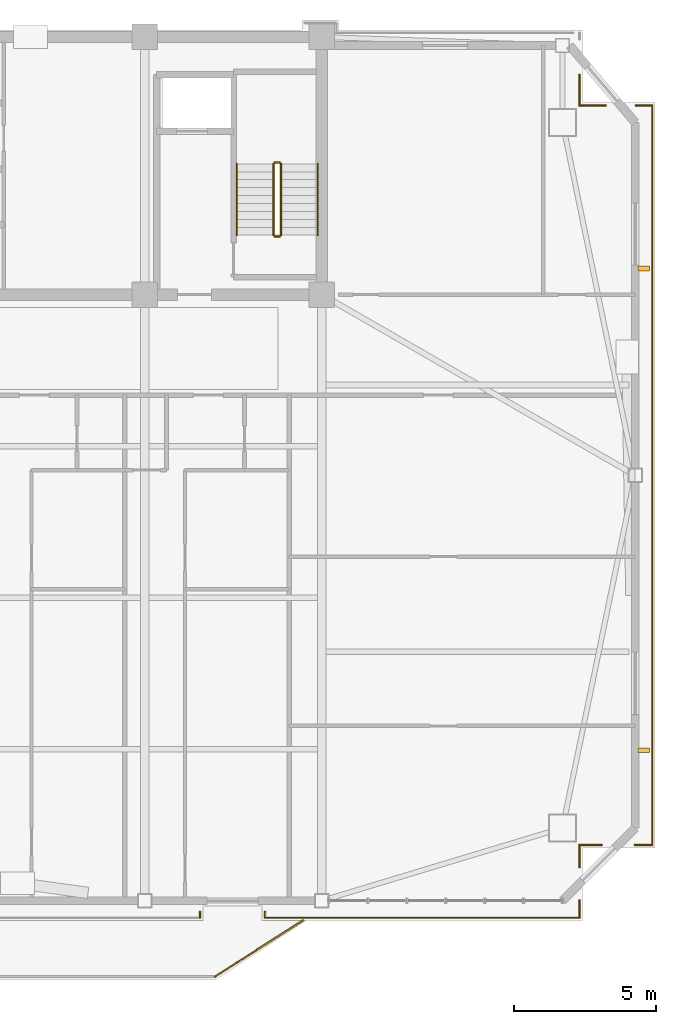
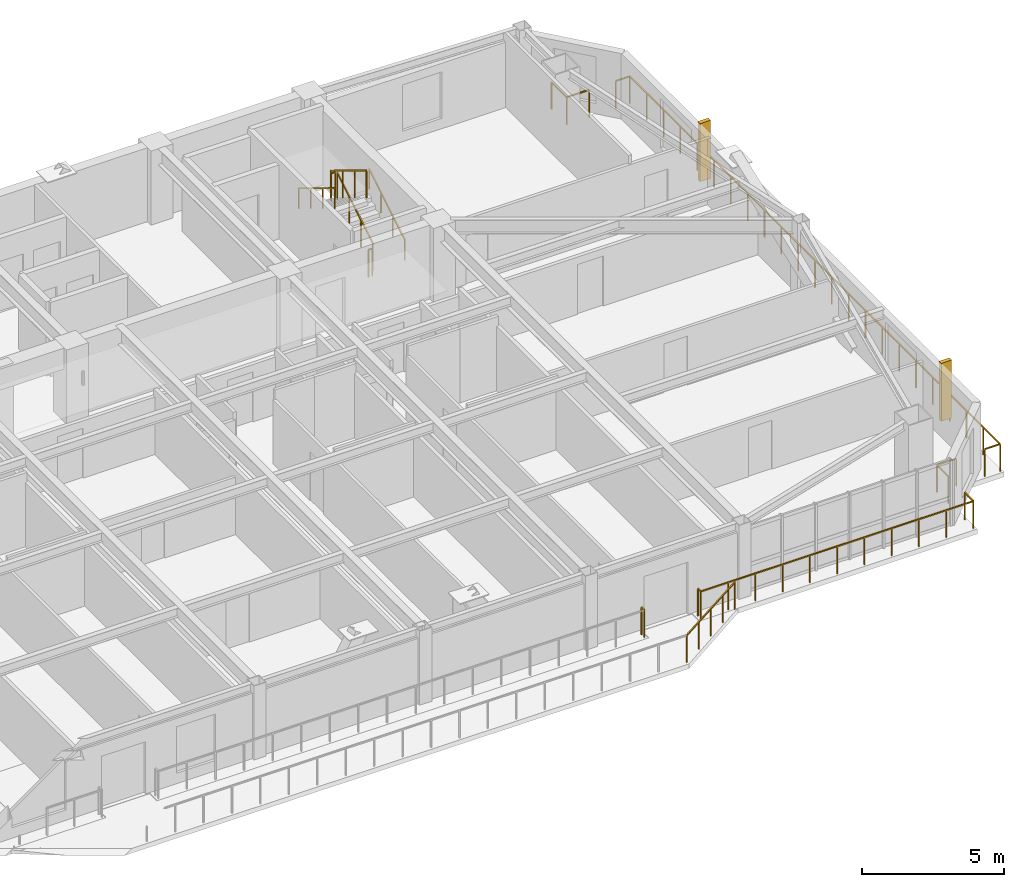
# One storey, part 16 of 18: 18 railings, 2 shading devices.
"""IFC4 building model written with IfcOpenShell, lengths in metres."""

from ifc_helpers import new_model, si_unit, direction, frame, origin, origin_2d, place, context, subcontext, project, spatial, rectangle, extrude, source, transform, mapped, material, type_object, element, save


model = new_model("IFC4")

# Units and contexts
model_context = context("Model", 3, precision=1e-05, world=origin(), true_north=direction((0.0, 1.0)))
body_context = subcontext(model_context, "Body", "Model", "MODEL_VIEW")
ifc_project = project(units=[si_unit("LENGTHUNIT", "METRE"), si_unit("AREAUNIT", "SQUARE_METRE"), si_unit("VOLUMEUNIT", "CUBIC_METRE"), si_unit("PLANEANGLEUNIT", "RADIAN"), si_unit("MASSUNIT", "GRAM", prefix="KILO")], contexts=[model_context])

# Site, building, storey
site_placement = place(None, origin())
site = spatial("IfcSite", under=ifc_project, at=site_placement, CompositionType="ELEMENT")
building_placement = place(site_placement, origin())
building = spatial("IfcBuilding", under=site, at=building_placement, Name="Giltprow Tower", CompositionType="ELEMENT")
storey_placement = place(building_placement, frame((0.0, 0.0, 262.10009765625)))
storey = spatial("IfcBuildingStorey", under=building, at=storey_placement, Name="L67", CompositionType="ELEMENT", Elevation=262.10009765625)

# Railings
ifc_material = material(Name="Anodized bronze", Category="metal")
railing_type_1 = type_object("IfcRailingType", Name="RAIL-BALC-GUARD-1200", PredefinedType="BALUSTRADE", material=ifc_material)
railing_1_placement = place(storey_placement, frame((46.780029296875, 13.364990234375, 0.0)))
element("IfcRailing", 1, at=railing_1_placement, inside=storey, type_object=railing_type_1, Name="L67 Waterfront Balcony Balustrade Seg 3", PredefinedType="BALUSTRADE", context=body_context, shape_type="SweptSolid", body=[
    extrude(rectangle(XDim=0.048095703125, YDim=0.048095703125, at=origin_2d()), frame((0.0, 0.0, 1.17578125), z_axis=(0.842755646126, 0.538296313309, 0.0), x_axis=(-0.538296313309, 0.842755646126, 0.0)), (0.0, 0.0, 1.0), 3.67822265625),
    extrude(rectangle(XDim=0.0419921875, YDim=0.0419921875, at=origin_2d()), origin(), (0.0, 0.0, 1.0), 1.15185546875),
    extrude(rectangle(XDim=0.0419921875, YDim=0.0419921875, at=origin_2d()), frame((0.77490234375, 0.4951171875, 0.0)), (0.0, 0.0, 1.0), 1.15185546875),
    extrude(rectangle(XDim=0.0419921875, YDim=0.0419921875, at=origin_2d()), frame((1.5498046875, 0.989990234375, 0.0)), (0.0, 0.0, 1.0), 1.15185546875),
    extrude(rectangle(XDim=0.0419921875, YDim=0.0419921875, at=origin_2d()), frame((2.324951171875, 1.48486328125, 0.0)), (0.0, 0.0, 1.0), 1.15185546875),
    extrude(rectangle(XDim=0.0419921875, YDim=0.0419921875, at=origin_2d()), frame((3.099853515625, 1.97998046875, 0.0)), (0.0, 0.0, 1.0), 1.15185546875),
])
railing_2_placement = place(storey_placement, frame((62.221923828125, 44.1298828125, 0.0)))
element("IfcRailing", 2, at=railing_2_placement, inside=storey, type_object=railing_type_1, Name="L67 Corner Apron Edge Balustrade 1", PredefinedType="BALUSTRADE", context=body_context, shape_type="SweptSolid", body=[
    extrude(rectangle(XDim=0.048095703125, YDim=0.048095703125, at=origin_2d()), frame((0.0, 0.0, 1.17578125), z_axis=(0.0, -1.0, 0.0), x_axis=(1.0, 0.0, 0.0)), (0.0, 0.0, 1.0), 26.116943359375),
    extrude(rectangle(XDim=0.0419921875, YDim=0.0419921875, at=origin_2d()), origin(), (0.0, 0.0, 1.0), 1.15185546875),
    extrude(rectangle(XDim=0.0419921875, YDim=0.0419921875, at=origin_2d()), frame((0.0, -1.18701171875, 0.0)), (0.0, 0.0, 1.0), 1.15185546875),
    extrude(rectangle(XDim=0.0419921875, YDim=0.0419921875, at=origin_2d()), frame((0.0, -2.374267578125, 0.0)), (0.0, 0.0, 1.0), 1.15185546875),
    extrude(rectangle(XDim=0.0419921875, YDim=0.0419921875, at=origin_2d()), frame((0.0, -3.561279296875, 0.0)), (0.0, 0.0, 1.0), 1.15185546875),
    extrude(rectangle(XDim=0.0419921875, YDim=0.0419921875, at=origin_2d()), frame((0.0, -4.74853515625, 0.0)), (0.0, 0.0, 1.0), 1.15185546875),
    extrude(rectangle(XDim=0.0419921875, YDim=0.0419921875, at=origin_2d()), frame((0.0, -5.935546875, 0.0)), (0.0, 0.0, 1.0), 1.15185546875),
    extrude(rectangle(XDim=0.0419921875, YDim=0.0419921875, at=origin_2d()), frame((0.0, -7.122802734375, 0.0)), (0.0, 0.0, 1.0), 1.15185546875),
    extrude(rectangle(XDim=0.0419921875, YDim=0.0419921875, at=origin_2d()), frame((0.0, -8.31005859375, 0.0)), (0.0, 0.0, 1.0), 1.15185546875),
    extrude(rectangle(XDim=0.0419921875, YDim=0.0419921875, at=origin_2d()), frame((0.0, -9.4970703125, 0.0)), (0.0, 0.0, 1.0), 1.15185546875),
    extrude(rectangle(XDim=0.0419921875, YDim=0.0419921875, at=origin_2d()), frame((0.0, -10.68408203125, 0.0)), (0.0, 0.0, 1.0), 1.15185546875),
    extrude(rectangle(XDim=0.0419921875, YDim=0.0419921875, at=origin_2d()), frame((0.0, -11.871337890625, 0.0)), (0.0, 0.0, 1.0), 1.15185546875),
    extrude(rectangle(XDim=0.0419921875, YDim=0.0419921875, at=origin_2d()), frame((0.0, -13.05859375, 0.0)), (0.0, 0.0, 1.0), 1.15185546875),
    extrude(rectangle(XDim=0.0419921875, YDim=0.0419921875, at=origin_2d()), frame((0.0, -14.24560546875, 0.0)), (0.0, 0.0, 1.0), 1.15185546875),
    extrude(rectangle(XDim=0.0419921875, YDim=0.0419921875, at=origin_2d()), frame((0.0, -15.4326171875, 0.0)), (0.0, 0.0, 1.0), 1.15185546875),
    extrude(rectangle(XDim=0.0419921875, YDim=0.0419921875, at=origin_2d()), frame((0.0, -16.619873046875, 0.0)), (0.0, 0.0, 1.0), 1.15185546875),
    extrude(rectangle(XDim=0.0419921875, YDim=0.0419921875, at=origin_2d()), frame((0.0, -17.80712890625, 0.0)), (0.0, 0.0, 1.0), 1.15185546875),
    extrude(rectangle(XDim=0.0419921875, YDim=0.0419921875, at=origin_2d()), frame((0.0, -18.994140625, 0.0)), (0.0, 0.0, 1.0), 1.15185546875),
    extrude(rectangle(XDim=0.0419921875, YDim=0.0419921875, at=origin_2d()), frame((0.0, -20.18115234375, 0.0)), (0.0, 0.0, 1.0), 1.15185546875),
    extrude(rectangle(XDim=0.0419921875, YDim=0.0419921875, at=origin_2d()), frame((0.0, -21.368408203125, 0.0)), (0.0, 0.0, 1.0), 1.15185546875),
    extrude(rectangle(XDim=0.0419921875, YDim=0.0419921875, at=origin_2d()), frame((0.0, -22.5556640625, 0.0)), (0.0, 0.0, 1.0), 1.15185546875),
    extrude(rectangle(XDim=0.0419921875, YDim=0.0419921875, at=origin_2d()), frame((0.0, -23.74267578125, 0.0)), (0.0, 0.0, 1.0), 1.15185546875),
    extrude(rectangle(XDim=0.0419921875, YDim=0.0419921875, at=origin_2d()), frame((0.0, -24.9296875, 0.0)), (0.0, 0.0, 1.0), 1.15185546875),
    extrude(rectangle(XDim=0.0419921875, YDim=0.0419921875, at=origin_2d()), frame((0.0, -26.116943359375, 0.0)), (0.0, 0.0, 1.0), 1.15185546875),
])
railing_3_placement = place(storey_placement, frame((62.221923828125, 18.012939453125, 0.0)))
element("IfcRailing", 3, at=railing_3_placement, inside=storey, type_object=railing_type_1, Name="L67 Corner Apron Edge Balustrade 2", PredefinedType="BALUSTRADE", context=body_context, shape_type="SweptSolid", body=[
    extrude(rectangle(XDim=0.048095703125, YDim=0.048095703125, at=origin_2d()), frame((0.0, 0.0, 1.17578125), z_axis=(-1.0, 0.0, 0.0), x_axis=(0.0, -1.0, 0.0)), (0.0, 0.0, 1.0), 0.620849609375),
    extrude(rectangle(XDim=0.0419921875, YDim=0.0419921875, at=origin_2d()), origin(), (0.0, 0.0, 1.0), 1.15185546875),
    extrude(rectangle(XDim=0.0419921875, YDim=0.0419921875, at=origin_2d()), frame((-0.620849609375, 0.0, 0.0)), (0.0, 0.0, 1.0), 1.15185546875),
])
railing_4_placement = place(storey_placement, frame((60.44091796875, 18.012939453125, 0.0)))
element("IfcRailing", 4, at=railing_4_placement, inside=storey, type_object=railing_type_1, Name="L67 Corner Apron Edge Balustrade 3", PredefinedType="BALUSTRADE", context=body_context, shape_type="SweptSolid", body=[
    extrude(rectangle(XDim=0.048095703125, YDim=0.048095703125, at=origin_2d()), frame((0.0, 0.0, 1.17578125), z_axis=(-1.0, 0.0, 0.0), x_axis=(0.0, -1.0, 0.0)), (0.0, 0.0, 1.0), 0.788818359375),
    extrude(rectangle(XDim=0.0419921875, YDim=0.0419921875, at=origin_2d()), origin(), (0.0, 0.0, 1.0), 1.15185546875),
    extrude(rectangle(XDim=0.0419921875, YDim=0.0419921875, at=origin_2d()), frame((-0.788818359375, 0.0, 0.0)), (0.0, 0.0, 1.0), 1.15185546875),
])
railing_5_placement = place(storey_placement, frame((59.652099609375, 18.012939453125, 0.0)))
element("IfcRailing", 5, at=railing_5_placement, inside=storey, type_object=railing_type_1, Name="L67 Corner Apron Edge Balustrade 4", PredefinedType="BALUSTRADE", context=body_context, shape_type="SweptSolid", body=[
    extrude(rectangle(XDim=0.048095703125, YDim=0.048095703125, at=origin_2d()), frame((0.0, 0.0, 1.17578125), z_axis=(0.0, -1.0, 0.0), x_axis=(1.0, 0.0, 0.0)), (0.0, 0.0, 1.0), 0.788818359375),
    extrude(rectangle(XDim=0.0419921875, YDim=0.0419921875, at=origin_2d()), origin(), (0.0, 0.0, 1.0), 1.15185546875),
    extrude(rectangle(XDim=0.0419921875, YDim=0.0419921875, at=origin_2d()), frame((0.0, -0.788818359375, 0.0)), (0.0, 0.0, 1.0), 1.15185546875),
])
railing_6_placement = place(storey_placement, frame((59.652099609375, 16.06396484375, 0.0)))
element("IfcRailing", 6, at=railing_6_placement, inside=storey, type_object=railing_type_1, Name="L67 Corner Apron Edge Balustrade 5", PredefinedType="BALUSTRADE", context=body_context, shape_type="SweptSolid", body=[
    extrude(rectangle(XDim=0.048095703125, YDim=0.048095703125, at=origin_2d()), frame((0.0, 0.0, 1.17578125), z_axis=(0.0, -1.0, 0.0), x_axis=(1.0, 0.0, 0.0)), (0.0, 0.0, 1.0), 0.618896484375),
    extrude(rectangle(XDim=0.0419921875, YDim=0.0419921875, at=origin_2d()), origin(), (0.0, 0.0, 1.0), 1.15185546875),
    extrude(rectangle(XDim=0.0419921875, YDim=0.0419921875, at=origin_2d()), frame((0.0, -0.618896484375, 0.0)), (0.0, 0.0, 1.0), 1.15185546875),
])
railing_7_placement = place(storey_placement, frame((59.652099609375, 15.445068359375, 0.0)))
element("IfcRailing", 7, at=railing_7_placement, inside=storey, type_object=railing_type_1, Name="L67 Corner Apron Edge Balustrade 6", PredefinedType="BALUSTRADE", context=body_context, shape_type="SweptSolid", body=[
    extrude(rectangle(XDim=0.048095703125, YDim=0.048095703125, at=origin_2d()), frame((0.0, 0.0, 1.17578125), z_axis=(-1.0, 0.0, 0.0), x_axis=(0.0, -1.0, 0.0)), (0.0, 0.0, 1.0), 11.10205078125),
    extrude(rectangle(XDim=0.0419921875, YDim=0.0419921875, at=origin_2d()), origin(), (0.0, 0.0, 1.0), 1.15185546875),
    extrude(rectangle(XDim=0.0419921875, YDim=0.0419921875, at=origin_2d()), frame((-1.110107421875, 0.0, 0.0)), (0.0, 0.0, 1.0), 1.15185546875),
    extrude(rectangle(XDim=0.0419921875, YDim=0.0419921875, at=origin_2d()), frame((-2.220458984375, 0.0, 0.0)), (0.0, 0.0, 1.0), 1.15185546875),
    extrude(rectangle(XDim=0.0419921875, YDim=0.0419921875, at=origin_2d()), frame((-3.33056640625, 0.0, 0.0)), (0.0, 0.0, 1.0), 1.15185546875),
    extrude(rectangle(XDim=0.0419921875, YDim=0.0419921875, at=origin_2d()), frame((-4.44091796875, 0.0, 0.0)), (0.0, 0.0, 1.0), 1.15185546875),
    extrude(rectangle(XDim=0.0419921875, YDim=0.0419921875, at=origin_2d()), frame((-5.551025390625, 0.0, 0.0)), (0.0, 0.0, 1.0), 1.15185546875),
    extrude(rectangle(XDim=0.0419921875, YDim=0.0419921875, at=origin_2d()), frame((-6.6611328125, 0.0, 0.0)), (0.0, 0.0, 1.0), 1.15185546875),
    extrude(rectangle(XDim=0.0419921875, YDim=0.0419921875, at=origin_2d()), frame((-7.771484375, 0.0, 0.0)), (0.0, 0.0, 1.0), 1.15185546875),
    extrude(rectangle(XDim=0.0419921875, YDim=0.0419921875, at=origin_2d()), frame((-8.881591796875, 0.0, 0.0)), (0.0, 0.0, 1.0), 1.15185546875),
    extrude(rectangle(XDim=0.0419921875, YDim=0.0419921875, at=origin_2d()), frame((-9.991943359375, 0.0, 0.0)), (0.0, 0.0, 1.0), 1.15185546875),
    extrude(rectangle(XDim=0.0419921875, YDim=0.0419921875, at=origin_2d()), frame((-11.10205078125, 0.0, 0.0)), (0.0, 0.0, 1.0), 1.15185546875),
])
railing_8_placement = place(storey_placement, frame((48.550048828125, 15.445068359375, 0.0)))
element("IfcRailing", 8, at=railing_8_placement, inside=storey, type_object=railing_type_1, Name="L67 Corner Apron Edge Balustrade 7", PredefinedType="BALUSTRADE", context=body_context, shape_type="SweptSolid", body=[
    extrude(rectangle(XDim=0.048095703125, YDim=0.048095703125, at=origin_2d()), frame((0.0, 0.0, 1.17578125), z_axis=(0.0, 1.0, 0.0), x_axis=(-1.0, 0.0, 0.0)), (0.0, 0.0, 1.0), 0.199951171875),
    extrude(rectangle(XDim=0.0419921875, YDim=0.0419921875, at=origin_2d()), origin(), (0.0, 0.0, 1.0), 1.15185546875),
    extrude(rectangle(XDim=0.0419921875, YDim=0.0419921875, at=origin_2d()), frame((0.0, 0.199951171875, 0.0)), (0.0, 0.0, 1.0), 1.15185546875),
])
railing_9_placement = place(storey_placement, frame((46.25, 15.64501953125, 0.0)))
element("IfcRailing", 9, at=railing_9_placement, inside=storey, type_object=railing_type_1, Name="L67 Corner Apron Edge Balustrade 8", PredefinedType="BALUSTRADE", context=body_context, shape_type="SweptSolid", body=[
    extrude(rectangle(XDim=0.048095703125, YDim=0.048095703125, at=origin_2d()), frame((0.0, 0.0, 1.17578125), z_axis=(0.0, -1.0, 0.0), x_axis=(1.0, 0.0, 0.0)), (0.0, 0.0, 1.0), 0.199951171875),
    extrude(rectangle(XDim=0.0419921875, YDim=0.0419921875, at=origin_2d()), origin(), (0.0, 0.0, 1.0), 1.15185546875),
    extrude(rectangle(XDim=0.0419921875, YDim=0.0419921875, at=origin_2d()), frame((0.0, -0.199951171875, 0.0)), (0.0, 0.0, 1.0), 1.15185546875),
])
railing_10_placement = place(storey_placement, frame((59.652099609375, 45.208984375, 0.0)))
element("IfcRailing", 10, at=railing_10_placement, inside=storey, type_object=railing_type_1, Name="L67 Corner Apron Edge Balustrade 29", PredefinedType="BALUSTRADE", context=body_context, shape_type="SweptSolid", body=[
    extrude(rectangle(XDim=0.048095703125, YDim=0.048095703125, at=origin_2d()), frame((0.0, 0.0, 1.17578125), z_axis=(0.0, -1.0, 0.0), x_axis=(1.0, 0.0, 0.0)), (0.0, 0.0, 1.0), 1.0791015625),
    extrude(rectangle(XDim=0.0419921875, YDim=0.0419921875, at=origin_2d()), origin(), (0.0, 0.0, 1.0), 1.15185546875),
    extrude(rectangle(XDim=0.0419921875, YDim=0.0419921875, at=origin_2d()), frame((0.0, -1.0791015625, 0.0)), (0.0, 0.0, 1.0), 1.15185546875),
])
railing_11_placement = place(storey_placement, frame((59.652099609375, 44.1298828125, 0.0)))
element("IfcRailing", 11, at=railing_11_placement, inside=storey, type_object=railing_type_1, Name="L67 Corner Apron Edge Balustrade 30", PredefinedType="BALUSTRADE", context=body_context, shape_type="SweptSolid", body=[
    extrude(rectangle(XDim=0.048095703125, YDim=0.048095703125, at=origin_2d()), frame((0.0, 0.0, 1.17578125), z_axis=(1.0, 0.0, 0.0), x_axis=(0.0, 1.0, 0.0)), (0.0, 0.0, 1.0), 0.919921875),
    extrude(rectangle(XDim=0.0419921875, YDim=0.0419921875, at=origin_2d()), origin(), (0.0, 0.0, 1.0), 1.15185546875),
    extrude(rectangle(XDim=0.0419921875, YDim=0.0419921875, at=origin_2d()), frame((0.919921875, 0.0, 0.0)), (0.0, 0.0, 1.0), 1.15185546875),
])
railing_12_placement = place(storey_placement, frame((61.64892578125, 44.1298828125, 0.0)))
element("IfcRailing", 12, at=railing_12_placement, inside=storey, type_object=railing_type_1, Name="L67 Corner Apron Edge Balustrade 31", PredefinedType="BALUSTRADE", context=body_context, shape_type="SweptSolid", body=[
    extrude(rectangle(XDim=0.048095703125, YDim=0.048095703125, at=origin_2d()), frame((0.0, 0.0, 1.17578125), z_axis=(1.0, 0.0, 0.0), x_axis=(0.0, 1.0, 0.0)), (0.0, 0.0, 1.0), 0.572998046875),
    extrude(rectangle(XDim=0.0419921875, YDim=0.0419921875, at=origin_2d()), origin(), (0.0, 0.0, 1.0), 1.15185546875),
    extrude(rectangle(XDim=0.0419921875, YDim=0.0419921875, at=origin_2d()), frame((0.572998046875, 0.0, 0.0)), (0.0, 0.0, 1.0), 1.15185546875),
])
railing_type_2 = type_object("IfcRailingType", Name="RAIL-STAIR-GUARD-1200", PredefinedType="GUARDRAIL", material=ifc_material)
railing_13_placement = place(storey_placement, frame((49.110107421875, 39.550048828125, 0.169921875)))
element("IfcRailing", 13, at=railing_13_placement, inside=storey, type_object=railing_type_2, Name="L67 ST-3 stair guard 1", PredefinedType="GUARDRAIL", context=body_context, shape_type="SweptSolid", body=[
    extrude(rectangle(XDim=0.048095703125, YDim=0.048095703125, at=origin_2d()), frame((0.0, 0.0, 1.17578125), z_axis=(0.0, 0.85478489116, 0.518982456201), x_axis=(-1.0, 0.0, 0.0)), (0.0, 0.0, 1.0), 2.9482421875),
    extrude(rectangle(XDim=0.0419921875, YDim=0.0419921875, at=origin_2d()), origin(), (0.0, 0.0, 1.0), 1.15185546875),
    extrude(rectangle(XDim=0.0419921875, YDim=0.0419921875, at=origin_2d()), frame((0.0, 0.840087890625, 0.510009765625)), (0.0, 0.0, 1.0), 1.15185546875),
    extrude(rectangle(XDim=0.0419921875, YDim=0.0419921875, at=origin_2d()), frame((0.0, 1.679931640625, 1.02001953125)), (0.0, 0.0, 1.0), 1.15185546875),
    extrude(rectangle(XDim=0.0419921875, YDim=0.0419921875, at=origin_2d()), frame((0.0, 2.52001953125, 1.530029296875)), (0.0, 0.0, 1.0), 1.15185546875),
])
railing_14_placement = place(storey_placement, frame((49.06005859375, 42.1201171875, 1.699951171875)))
element("IfcRailing", 14, at=railing_14_placement, inside=storey, type_object=railing_type_2, Name="L67 ST-3 stair guard 2", PredefinedType="GUARDRAIL", context=body_context, shape_type="SweptSolid", body=[
    extrude(rectangle(XDim=0.048095703125, YDim=0.048095703125, at=origin_2d()), frame((0.0, 0.0, 1.17578125), z_axis=(-1.0, 0.0, 0.0), x_axis=(0.0, -1.0, 0.0)), (0.0, 0.0, 1.0), 0.16015625),
    extrude(rectangle(XDim=0.0419921875, YDim=0.0419921875, at=origin_2d()), origin(), (0.0, 0.0, 1.0), 1.15185546875),
    extrude(rectangle(XDim=0.0419921875, YDim=0.0419921875, at=origin_2d()), frame((-0.16015625, 0.0, 0.0)), (0.0, 0.0, 1.0), 1.15185546875),
])
railing_15_placement = place(storey_placement, frame((48.85009765625, 42.070068359375, 1.869873046875)))
element("IfcRailing", 15, at=railing_15_placement, inside=storey, type_object=railing_type_2, Name="L67 ST-3 stair guard 3", PredefinedType="GUARDRAIL", context=body_context, shape_type="SweptSolid", body=[
    extrude(rectangle(XDim=0.048095703125, YDim=0.048095703125, at=origin_2d()), frame((0.0, 0.0, 1.17578125), z_axis=(0.0, -0.85478489116, 0.518982456201), x_axis=(1.0, 0.0, 0.0)), (0.0, 0.0, 1.0), 2.9482421875),
    extrude(rectangle(XDim=0.0419921875, YDim=0.0419921875, at=origin_2d()), origin(), (0.0, 0.0, 1.0), 1.15185546875),
    extrude(rectangle(XDim=0.0419921875, YDim=0.0419921875, at=origin_2d()), frame((0.0, -0.840087890625, 0.510009765625)), (0.0, 0.0, 1.0), 1.15185546875),
    extrude(rectangle(XDim=0.0419921875, YDim=0.0419921875, at=origin_2d()), frame((0.0, -1.679931640625, 1.02001953125)), (0.0, 0.0, 1.0), 1.15185546875),
    extrude(rectangle(XDim=0.0419921875, YDim=0.0419921875, at=origin_2d()), frame((0.0, -2.52001953125, 1.530029296875)), (0.0, 0.0, 1.0), 1.15185546875),
])
railing_16_placement = place(storey_placement, frame((49.06005859375, 39.5, 0.0)))
element("IfcRailing", 16, at=railing_16_placement, inside=storey, type_object=railing_type_2, Name="L67 ST-3 stair guard 4", PredefinedType="GUARDRAIL", context=body_context, shape_type="SweptSolid", body=[
    extrude(rectangle(XDim=0.048095703125, YDim=0.048095703125, at=origin_2d()), frame((0.0, 0.0, 1.17578125), z_axis=(-1.0, 0.0, 0.0), x_axis=(0.0, -1.0, 0.0)), (0.0, 0.0, 1.0), 0.16015625),
    extrude(rectangle(XDim=0.0419921875, YDim=0.0419921875, at=origin_2d()), origin(), (0.0, 0.0, 1.0), 1.15185546875),
    extrude(rectangle(XDim=0.0419921875, YDim=0.0419921875, at=origin_2d()), frame((-0.16015625, 0.0, 0.0)), (0.0, 0.0, 1.0), 1.15185546875),
])
railing_type_3 = type_object("IfcRailingType", Name="RAIL-STAIR-HAND-900", PredefinedType="HANDRAIL", material=ifc_material)
railing_17_placement = place(storey_placement, frame((50.409912109375, 39.550048828125, 0.169921875)))
element("IfcRailing", 17, at=railing_17_placement, inside=storey, type_object=railing_type_3, Name="L67 ST-3 stair handrail 1", PredefinedType="HANDRAIL", context=body_context, shape_type="SweptSolid", body=[
    extrude(rectangle(XDim=0.048095703125, YDim=0.048095703125, at=origin_2d()), frame((0.0, 0.0, 0.8759765625), z_axis=(0.0, 0.85478489116, 0.518982456201), x_axis=(-1.0, 0.0, 0.0)), (0.0, 0.0, 1.0), 2.9482421875),
    extrude(rectangle(XDim=0.0419921875, YDim=0.0419921875, at=origin_2d()), origin(), (0.0, 0.0, 1.0), 0.851806640625),
    extrude(rectangle(XDim=0.0419921875, YDim=0.0419921875, at=origin_2d()), frame((0.0, 0.840087890625, 0.510009765625)), (0.0, 0.0, 1.0), 0.851806640625),
    extrude(rectangle(XDim=0.0419921875, YDim=0.0419921875, at=origin_2d()), frame((0.0, 1.679931640625, 1.02001953125)), (0.0, 0.0, 1.0), 0.851806640625),
    extrude(rectangle(XDim=0.0419921875, YDim=0.0419921875, at=origin_2d()), frame((0.0, 2.52001953125, 1.530029296875)), (0.0, 0.0, 1.0), 0.851806640625),
])
railing_18_placement = place(storey_placement, frame((47.550048828125, 42.070068359375, 1.869873046875)))
element("IfcRailing", 18, at=railing_18_placement, inside=storey, type_object=railing_type_3, Name="L67 ST-3 stair handrail 2", PredefinedType="HANDRAIL", context=body_context, shape_type="SweptSolid", body=[
    extrude(rectangle(XDim=0.048095703125, YDim=0.048095703125, at=origin_2d()), frame((0.0, 0.0, 0.8759765625), z_axis=(0.0, -0.85478489116, 0.518982456201), x_axis=(1.0, 0.0, 0.0)), (0.0, 0.0, 1.0), 2.9482421875),
    extrude(rectangle(XDim=0.0419921875, YDim=0.0419921875, at=origin_2d()), origin(), (0.0, 0.0, 1.0), 0.851806640625),
    extrude(rectangle(XDim=0.0419921875, YDim=0.0419921875, at=origin_2d()), frame((0.0, -0.840087890625, 0.510009765625)), (0.0, 0.0, 1.0), 0.851806640625),
    extrude(rectangle(XDim=0.0419921875, YDim=0.0419921875, at=origin_2d()), frame((0.0, -1.679931640625, 1.02001953125)), (0.0, 0.0, 1.0), 0.851806640625),
    extrude(rectangle(XDim=0.0419921875, YDim=0.0419921875, at=origin_2d()), frame((0.0, -2.52001953125, 1.530029296875)), (0.0, 0.0, 1.0), 0.851806640625),
])

# Shading devices
shading_device_type = type_object("IfcShadingDeviceType", Name="SHD-FIN-420", PredefinedType="USERDEFINED", material=ifc_material)
shared_shape = source(origin(), body_context, "Body", "SweptSolid", [
    extrude(rectangle(XDim=0.419921875, YDim=0.159912109375, at=origin_2d()), origin(), (0.0, 0.0, 1.0), 2.5),
])
for number, where, z_axis, x_axis, name in (
    (19, (61.922119140625, 21.35400390625, 0.349853515625), (0.0, 0.0, 1.0), (1.0, 0.0, 0.0), "L67 E Bronze Vertical Fin 1-1"),
    (20, (61.922119140625, 38.373046875, 0.349853515625), (0.0, 0.0, 1.0), (1.0, 0.0, 0.0), "L67 E Bronze Vertical Fin 2-1"),
):
    element("IfcShadingDevice", number, at=place(storey_placement, frame(where, z_axis=z_axis, x_axis=x_axis)), inside=storey, type_object=shading_device_type, Name=name, ObjectType="FIN", PredefinedType="USERDEFINED", context=body_context, shape_type="MappedRepresentation", body=[
        mapped(shared_shape, transform((0.0, 0.0, 0.0), x_axis=(1.0, 0.0, 0.0), y_axis=(0.0, 1.0, 0.0), z_axis=(0.0, 0.0, 1.0), scale=1.0)),
    ])

save(model, "model.ifc")
